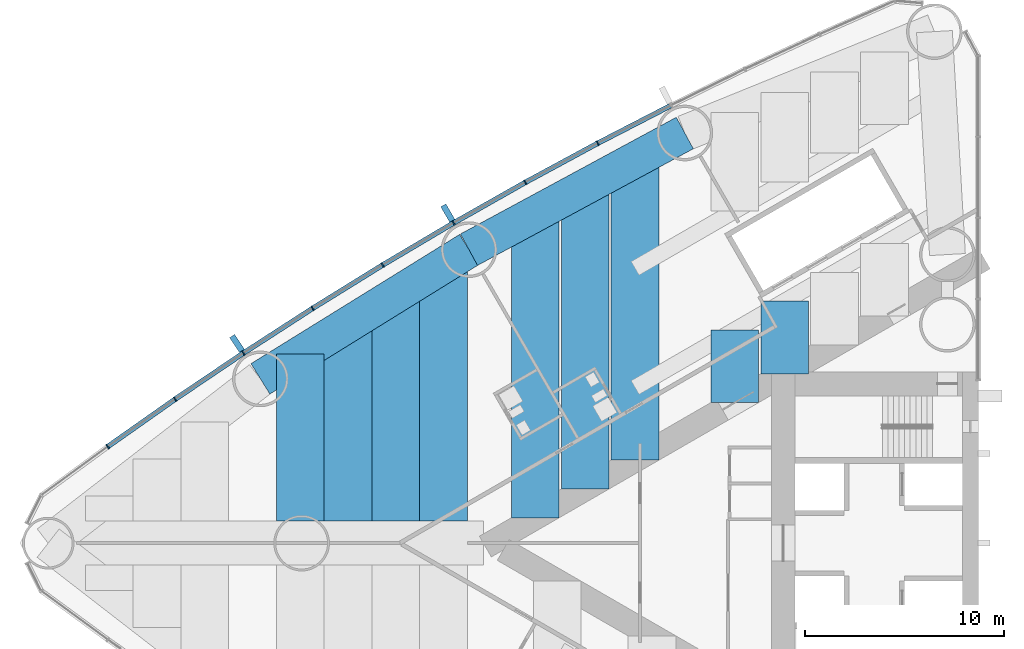
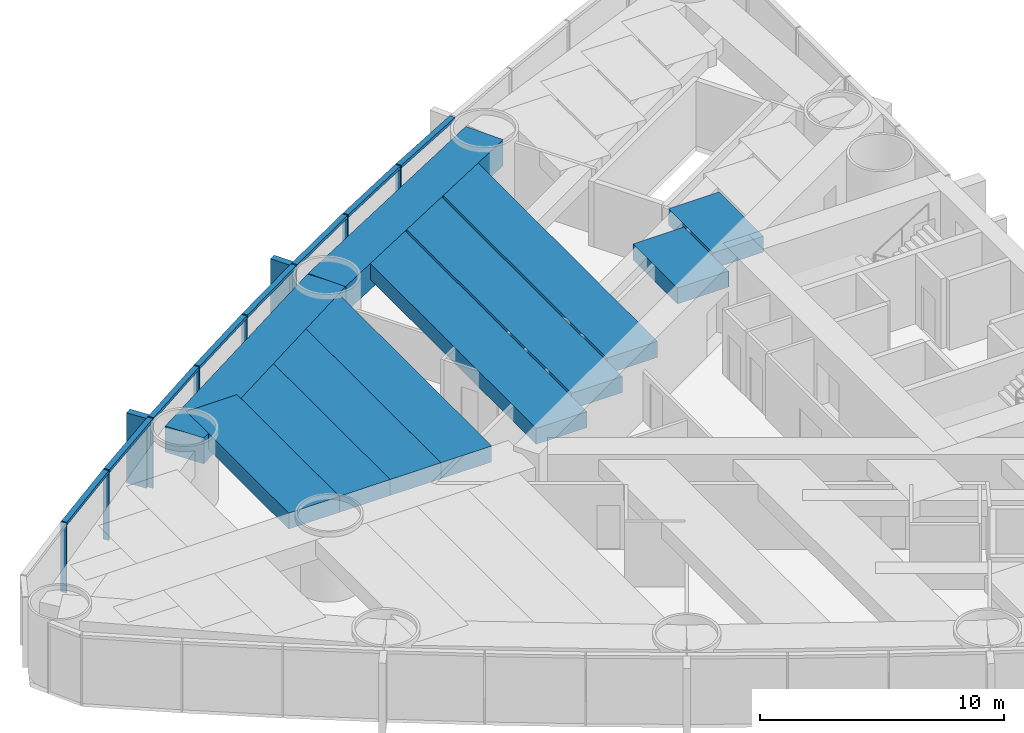
# One storey, part 4 of 19: 18 members, 11 beams, 1 element without a shape of its own.
"""IFC4 building model written with IfcOpenShell, lengths in metres."""

from ifc_helpers import new_model, si_unit, direction, frame, origin, origin_2d, place, context, subcontext, project, spatial, rectangle, extrude, material, material_profile, profile_set, type_object, element, aggregate, save


model = new_model("IFC4")

# Units and contexts
model_context = context("Model", 3, precision=1e-05, world=origin(), true_north=direction((0.0, 1.0)))
body_context = subcontext(model_context, "Body", "Model", "MODEL_VIEW")
ifc_project = project(units=[si_unit("LENGTHUNIT", "METRE"), si_unit("AREAUNIT", "SQUARE_METRE"), si_unit("VOLUMEUNIT", "CUBIC_METRE"), si_unit("PLANEANGLEUNIT", "RADIAN"), si_unit("MASSUNIT", "GRAM", prefix="KILO")], contexts=[model_context])

# Site, building, storey
site_placement = place(None, origin())
site = spatial("IfcSite", under=ifc_project, at=site_placement, CompositionType="ELEMENT")
building_placement = place(site_placement, origin())
building = spatial("IfcBuilding", under=site, at=building_placement, Name="Lancet Gate Hotel", CompositionType="ELEMENT")
storey_placement = place(building_placement, frame((0.0, 0.0, 25.0)))
storey = spatial("IfcBuildingStorey", under=building, at=storey_placement, Name="L05", CompositionType="ELEMENT", Elevation=25.0)

# Curtain wall, members
ifc_material_1 = material(Name="Aluminium curtain wall", Category="aluminium")
curtain_wall_type = type_object("IfcCurtainWallType", Name="Tower unitised curtain wall", PredefinedType="USERDEFINED", material=ifc_material_1)
curtain_wall_placement = place(storey_placement, origin())
curtain_wall = element("IfcCurtainWall", 1, at=curtain_wall_placement, inside=storey, type_object=curtain_wall_type, Name="T1 L05 curtain wall 2", ObjectType="UNITISED CURTAIN WALL", PredefinedType="USERDEFINED")
ifc_material_2 = material(Name="Aluminium mullion", Category="aluminium")
ifc_material_profile_1 = material_profile(ifc_material_2, rectangle(XDim=0.06494140625, YDim=0.25, at=origin_2d()), Name="MULLION 65x250")
ifc_profile_set_1 = profile_set([ifc_material_profile_1], Name="Aluminium mullion")
member_type_1 = type_object("IfcMemberType", Name="Aluminium mullion 65x250", PredefinedType="MULLION", material=ifc_profile_set_1)
member_1_placement = place(storey_placement, frame((-46.6220703125, 20.094970703125, 0.0), z_axis=(0.0, 0.0, 1.0), x_axis=(-0.884311132302, -0.466898084475, 0.0)))
member_1 = element("IfcMember", 2, at=member_1_placement, type_object=member_type_1, Name="T1 L05 curtain wall 2 mullion 6", PredefinedType="MULLION", context=body_context, shape_type="SweptSolid", body=[
    extrude(rectangle(XDim=0.06494140625, YDim=0.25, at=origin_2d()), origin(), (0.0, 0.0, 1.0), 3.5),
])
member_2_placement = place(storey_placement, frame((-50.26416015625, 18.1259765625, 0.0), z_axis=(0.0, 0.0, 1.0), x_axis=(-0.874991035403, -0.484139120464, 0.0)))
member_2 = element("IfcMember", 3, at=member_2_placement, type_object=member_type_1, Name="T1 L05 curtain wall 2 mullion 7", PredefinedType="MULLION", context=body_context, shape_type="SweptSolid", body=[
    extrude(rectangle(XDim=0.06494140625, YDim=0.25, at=origin_2d()), origin(), (0.0, 0.0, 1.0), 3.5),
])
member_3_placement = place(storey_placement, frame((-53.866943359375, 16.086181640625, 0.0), z_axis=(0.0, 0.0, 1.0), x_axis=(-0.86533483912, -0.501194190115, 0.0)))
member_3 = element("IfcMember", 4, at=member_3_placement, type_object=member_type_1, Name="T1 L05 curtain wall 2 mullion 8", PredefinedType="MULLION", context=body_context, shape_type="SweptSolid", body=[
    extrude(rectangle(XDim=0.06494140625, YDim=0.25, at=origin_2d()), origin(), (0.0, 0.0, 1.0), 3.5),
])
member_4_placement = place(storey_placement, frame((-57.42919921875, 13.97607421875, 0.0), z_axis=(0.0, 0.0, 1.0), x_axis=(-0.855346252548, -0.518056742309, 0.0)))
member_4 = element("IfcMember", 5, at=member_4_placement, type_object=member_type_1, Name="T1 L05 curtain wall 2 mullion 9", PredefinedType="MULLION", context=body_context, shape_type="SweptSolid", body=[
    extrude(rectangle(XDim=0.06494140625, YDim=0.25, at=origin_2d()), origin(), (0.0, 0.0, 1.0), 3.5),
])
member_5_placement = place(storey_placement, frame((-60.949462890625, 11.796630859375, 0.0), z_axis=(0.0, 0.0, 1.0), x_axis=(-0.845029112489, -0.534720299827, 0.0)))
member_5 = element("IfcMember", 6, at=member_5_placement, type_object=member_type_1, Name="T1 L05 curtain wall 2 mullion 10", PredefinedType="MULLION", context=body_context, shape_type="SweptSolid", body=[
    extrude(rectangle(XDim=0.06494140625, YDim=0.25, at=origin_2d()), origin(), (0.0, 0.0, 1.0), 3.5),
])
member_6_placement = place(storey_placement, frame((-64.42626953125, 9.548583984375, 0.0), z_axis=(0.0, 0.0, 1.0), x_axis=(-0.834387381945, -0.55117846189, 0.0)))
member_6 = element("IfcMember", 7, at=member_6_placement, type_object=member_type_1, Name="T1 L05 curtain wall 2 mullion 11", PredefinedType="MULLION", context=body_context, shape_type="SweptSolid", body=[
    extrude(rectangle(XDim=0.06494140625, YDim=0.25, at=origin_2d()), origin(), (0.0, 0.0, 1.0), 3.5),
])
member_7_placement = place(storey_placement, frame((-67.858154296875, 7.232666015625, 0.0), z_axis=(0.0, 0.0, 1.0), x_axis=(-0.823425148573, -0.56742490666, 0.0)))
member_7 = element("IfcMember", 8, at=member_7_placement, type_object=member_type_1, Name="T1 L05 curtain wall 2 mullion 12", PredefinedType="MULLION", context=body_context, shape_type="SweptSolid", body=[
    extrude(rectangle(XDim=0.06494140625, YDim=0.25, at=origin_2d()), origin(), (0.0, 0.0, 1.0), 3.5),
])
member_8_placement = place(storey_placement, frame((-71.244384765625, 4.85009765625, 0.0), z_axis=(0.0, 0.0, 1.0), x_axis=(-0.812146623168, -0.583453393578, 0.0)))
member_8 = element("IfcMember", 9, at=member_8_placement, type_object=member_type_1, Name="T1 L05 curtain wall 2 mullion 13", PredefinedType="MULLION", context=body_context, shape_type="SweptSolid", body=[
    extrude(rectangle(XDim=0.06494140625, YDim=0.25, at=origin_2d()), origin(), (0.0, 0.0, 1.0), 3.5),
])
ifc_material_3 = material(Name="Aluminium transom", Category="aluminium")
ifc_material_profile_2 = material_profile(ifc_material_3, rectangle(XDim=0.25, YDim=0.14990234375, at=origin_2d()), Name="TRANSOM 250x150")
ifc_profile_set_2 = profile_set([ifc_material_profile_2], Name="Aluminium transom")
member_type_2 = type_object("IfcMemberType", Name="Aluminium transom 250x150", PredefinedType="USERDEFINED", material=ifc_profile_set_2)
member_9_placement = place(storey_placement, frame((-42.970703125, 21.97705078125, 3.425048828125), z_axis=(-0.888859972399, -0.458178949175, 0.0), x_axis=(0.458178949175, -0.888859972399, 0.0)))
member_9 = element("IfcMember", 10, at=member_9_placement, type_object=member_type_2, Name="T1 L05 curtain wall 2 transom 5", ObjectType="TRANSOM", PredefinedType="USERDEFINED", context=body_context, shape_type="SweptSolid", body=[
    extrude(rectangle(XDim=0.25, YDim=0.14990234375, at=origin_2d()), origin(), (0.0, 0.0, 1.0), 4.0751953125),
])
member_10_placement = place(storey_placement, frame((-46.650634765625, 20.079345703125, 3.425048828125), z_axis=(-0.87971396408, -0.475503250675, 0.0), x_axis=(0.475503250675, -0.87971396408, 0.0)))
member_10 = element("IfcMember", 11, at=member_10_placement, type_object=member_type_2, Name="T1 L05 curtain wall 2 transom 6", ObjectType="TRANSOM", PredefinedType="USERDEFINED", context=body_context, shape_type="SweptSolid", body=[
    extrude(rectangle(XDim=0.25, YDim=0.14990234375, at=origin_2d()), origin(), (0.0, 0.0, 1.0), 4.0751953125),
])
member_11_placement = place(storey_placement, frame((-50.29248046875, 18.110107421875, 3.425048828125), z_axis=(-0.870197729943, -0.492702659625, 0.0), x_axis=(0.492702659625, -0.870197729943, 0.0)))
member_11 = element("IfcMember", 12, at=member_11_placement, type_object=member_type_2, Name="T1 L05 curtain wall 2 transom 7", ObjectType="TRANSOM", PredefinedType="USERDEFINED", context=body_context, shape_type="SweptSolid", body=[
    extrude(rectangle(XDim=0.25, YDim=0.14990234375, at=origin_2d()), origin(), (0.0, 0.0, 1.0), 4.0751953125),
])
member_12_placement = place(storey_placement, frame((-53.89501953125, 16.069580078125, 3.425048828125), z_axis=(-0.86039174806, -0.509633240547, 0.0), x_axis=(0.509633240547, -0.86039174806, 0.0)))
member_12 = element("IfcMember", 13, at=member_12_placement, type_object=member_type_2, Name="T1 L05 curtain wall 2 transom 8", ObjectType="TRANSOM", PredefinedType="USERDEFINED", context=body_context, shape_type="SweptSolid", body=[
    extrude(rectangle(XDim=0.25, YDim=0.14990234375, at=origin_2d()), origin(), (0.0, 0.0, 1.0), 4.0751953125),
])
member_13_placement = place(storey_placement, frame((-57.456787109375, 13.958984375, 3.425048828125), z_axis=(-0.850242165643, -0.526391736032, 0.0), x_axis=(0.526391736032, -0.850242165643, 0.0)))
member_13 = element("IfcMember", 14, at=member_13_placement, type_object=member_type_2, Name="T1 L05 curtain wall 2 transom 9", ObjectType="TRANSOM", PredefinedType="USERDEFINED", context=body_context, shape_type="SweptSolid", body=[
    extrude(rectangle(XDim=0.25, YDim=0.14990234375, at=origin_2d()), origin(), (0.0, 0.0, 1.0), 4.075439453125),
])
member_14_placement = place(storey_placement, frame((-60.976806640625, 11.779052734375, 3.425048828125), z_axis=(-0.839729242404, -0.543005340169, 0.0), x_axis=(0.543005340169, -0.839729242404, 0.0)))
member_14 = element("IfcMember", 15, at=member_14_placement, type_object=member_type_2, Name="T1 L05 curtain wall 2 transom 10", ObjectType="TRANSOM", PredefinedType="USERDEFINED", context=body_context, shape_type="SweptSolid", body=[
    extrude(rectangle(XDim=0.25, YDim=0.14990234375, at=origin_2d()), origin(), (0.0, 0.0, 1.0), 4.0751953125),
])
member_15_placement = place(storey_placement, frame((-64.453125, 9.5302734375, 3.425048828125), z_axis=(-0.828959086782, -0.559309245804, 0.0), x_axis=(0.559309245804, -0.828959086782, 0.0)))
member_15 = element("IfcMember", 16, at=member_15_placement, type_object=member_type_2, Name="T1 L05 curtain wall 2 transom 11", ObjectType="TRANSOM", PredefinedType="USERDEFINED", context=body_context, shape_type="SweptSolid", body=[
    extrude(rectangle(XDim=0.25, YDim=0.14990234375, at=origin_2d()), origin(), (0.0, 0.0, 1.0), 4.0751953125),
])
member_16_placement = place(storey_placement, frame((-67.884765625, 7.214111328125, 3.425048828125), z_axis=(-0.817833568345, -0.57545482402, 0.0), x_axis=(0.57545482402, -0.817833568345, 0.0)))
member_16 = element("IfcMember", 17, at=member_16_placement, type_object=member_type_2, Name="T1 L05 curtain wall 2 transom 12", ObjectType="TRANSOM", PredefinedType="USERDEFINED", context=body_context, shape_type="SweptSolid", body=[
    extrude(rectangle(XDim=0.25, YDim=0.14990234375, at=origin_2d()), origin(), (0.0, 0.0, 1.0), 4.075439453125),
])

# Beams
ifc_material_4 = material(Name="Concrete C50/60", Category="concrete")
ifc_material_profile_3 = material_profile(ifc_material_4, rectangle(XDim=1.800048828125, YDim=1.300048828125, at=origin_2d()), Name="RC 1800x1300")
ifc_profile_set_3 = profile_set([ifc_material_profile_3], Name="Concrete C50/60")
beam_type_1 = type_object("IfcBeamType", Name="Edge beam RC 1800x1300", PredefinedType="SPANDREL", material=ifc_profile_set_3)
for number, where, z_axis, x_axis, name in (
    (18, (-42.2451171875, 20.607421875, 2.60009765625), (-0.879692855603, -0.475542300749, 0.0), (0.475542300749, -0.879692855603, 0.0), "T1 edge beam EB1 L05"),
    (19, (-53.090087890625, 14.744873046875, 2.60009765625), (-0.850225894333, -0.526418016984, 0.0), (0.526418016984, -0.850225894333, 0.0), "T1 edge beam EB1 L05"),
):
    element("IfcBeam", number, at=place(storey_placement, frame(where, z_axis=z_axis, x_axis=x_axis)), inside=storey, type_object=beam_type_1, Name=name, PredefinedType="SPANDREL", context=body_context, shape_type="SweptSolid", body=[
        extrude(rectangle(XDim=1.800048828125, YDim=1.300048828125, at=origin_2d()), origin(), (0.0, 0.0, 1.0), 12.328125),
    ])

# Member
ifc_material_5 = material(Name="Precast concrete C50/60", Category="concrete")
ifc_material_profile_4 = material_profile(ifc_material_5, rectangle(XDim=0.300048828125, YDim=0.89990234375, at=origin_2d()), Name="FIN 300x900")
ifc_profile_set_4 = profile_set([ifc_material_profile_4], Name="Precast concrete C50/60")
member_type_3 = type_object("IfcMemberType", Name="Exposed concrete fin 300x900", PredefinedType="USERDEFINED", material=ifc_profile_set_4)
member_17_placement = place(storey_placement, frame((-54.1552734375, 16.583740234375, 0.0), z_axis=(0.0, 0.0, 1.0), x_axis=(-0.86533483912, -0.501194190115, 0.0)))
member_17 = element("IfcMember", 20, at=member_17_placement, type_object=member_type_3, Name="T1 L05 curtain wall 2 fin 8", ObjectType="FIN", PredefinedType="USERDEFINED", context=body_context, shape_type="SweptSolid", body=[
    extrude(rectangle(XDim=0.300048828125, YDim=0.89990234375, at=origin_2d()), origin(), (0.0, 0.0, 1.0), 3.5),
])

member_18_placement = place(storey_placement, frame((-64.7431640625, 10.0283203125, 0.0), z_axis=(0.0, 0.0, 1.0), x_axis=(-0.834387381945, -0.55117846189, 0.0)))
member_18 = element("IfcMember", 21, at=member_18_placement, type_object=member_type_3, Name="T1 L05 curtain wall 2 fin 11", ObjectType="FIN", PredefinedType="USERDEFINED", context=body_context, shape_type="SweptSolid", body=[
    extrude(rectangle(XDim=0.300048828125, YDim=0.89990234375, at=origin_2d()), origin(), (0.0, 0.0, 1.0), 3.5),
])

aggregate(curtain_wall, [member_1, member_2, member_3, member_17, member_4, member_5, member_6, member_18, member_7, member_8, member_9, member_10, member_11, member_12, member_13, member_14, member_15, member_16])

# Beams
ifc_material_6 = material(Name="Concrete C50/60", Category="concrete")
ifc_material_profile_5 = material_profile(ifc_material_6, rectangle(XDim=2.39990234375, YDim=0.800048828125, at=origin_2d()), Name="RC 2400x800")
ifc_profile_set_5 = profile_set([ifc_material_profile_5], Name="Concrete C50/60")
beam_type_2 = type_object("IfcBeamType", Name="Floor beam RC 2400x800", PredefinedType="BEAM", material=ifc_profile_set_5)
beam_1_placement = place(storey_placement, frame((-44.747802734375, 19.254638671875, 2.85009765625), z_axis=(0.0, -1.0, 0.0), x_axis=(1.0, 0.0, 0.0)))
element("IfcBeam", 22, at=beam_1_placement, inside=storey, type_object=beam_type_2, Name="T1 floor beam F09S L05", PredefinedType="BEAM", context=body_context, shape_type="SweptSolid", body=[
    extrude(rectangle(XDim=2.39990234375, YDim=0.800048828125, at=origin_2d()), origin(), (0.0, 0.0, 1.0), 15.0859375),
])
beam_2_placement = place(storey_placement, frame((-47.254638671875, 17.8994140625, 2.85009765625), z_axis=(0.0, -1.0, 0.0), x_axis=(1.0, 0.0, 0.0)))
element("IfcBeam", 23, at=beam_2_placement, inside=storey, type_object=beam_type_2, Name="T1 floor beam F10S L05", PredefinedType="BEAM", context=body_context, shape_type="SweptSolid", body=[
    extrude(rectangle(XDim=2.39990234375, YDim=0.800048828125, at=origin_2d()), origin(), (0.0, 0.0, 1.0), 15.177978515625),
])
beam_3_placement = place(storey_placement, frame((-49.761474609375, 16.54443359375, 2.85009765625), z_axis=(0.0, -1.0, 0.0), x_axis=(1.0, 0.0, 0.0)))
element("IfcBeam", 24, at=beam_3_placement, inside=storey, type_object=beam_type_2, Name="T1 floor beam F12S L05", PredefinedType="BEAM", context=body_context, shape_type="SweptSolid", body=[
    extrude(rectangle(XDim=2.39990234375, YDim=0.800048828125, at=origin_2d()), origin(), (0.0, 0.0, 1.0), 15.270263671875),
])
beam_4_placement = place(storey_placement, frame((-54.3681640625, 13.95361328125, 2.85009765625), z_axis=(0.0, -1.0, 0.0), x_axis=(1.0, 0.0, 0.0)))
element("IfcBeam", 25, at=beam_4_placement, inside=storey, type_object=beam_type_2, Name="T1 floor beam F13S L05", PredefinedType="BEAM", context=body_context, shape_type="SweptSolid", body=[
    extrude(rectangle(XDim=2.39990234375, YDim=0.800048828125, at=origin_2d()), origin(), (0.0, 0.0, 1.0), 12.853515625),
])
beam_5_placement = place(storey_placement, frame((-56.768310546875, 12.467529296875, 2.85009765625), z_axis=(0.0, -1.0, 0.0), x_axis=(1.0, 0.0, 0.0)))
element("IfcBeam", 26, at=beam_5_placement, inside=storey, type_object=beam_type_2, Name="T1 floor beam F15S L05", PredefinedType="BEAM", context=body_context, shape_type="SweptSolid", body=[
    extrude(rectangle(XDim=2.39990234375, YDim=0.800048828125, at=origin_2d()), origin(), (0.0, 0.0, 1.0), 11.367431640625),
])
beam_6_placement = place(storey_placement, frame((-59.168212890625, 10.981689453125, 2.85009765625), z_axis=(0.0, -1.0, 0.0), x_axis=(1.0, 0.0, 0.0)))
element("IfcBeam", 27, at=beam_6_placement, inside=storey, type_object=beam_type_2, Name="T1 floor beam F17S L05", PredefinedType="BEAM", context=body_context, shape_type="SweptSolid", body=[
    extrude(rectangle(XDim=2.39990234375, YDim=0.800048828125, at=origin_2d()), origin(), (0.0, 0.0, 1.0), 9.881591796875),
])
beam_7_placement = place(storey_placement, frame((-61.568359375, 9.495849609375, 2.85009765625), z_axis=(0.0, -1.0, 0.0), x_axis=(1.0, 0.0, 0.0)))
element("IfcBeam", 28, at=beam_7_placement, inside=storey, type_object=beam_type_2, Name="T1 floor beam F19S L05", PredefinedType="BEAM", context=body_context, shape_type="SweptSolid", body=[
    extrude(rectangle(XDim=2.39990234375, YDim=0.800048828125, at=origin_2d()), origin(), (0.0, 0.0, 1.0), 8.395751953125),
])
beam_8_placement = place(storey_placement, frame((-37.227294921875, 12.15625, 2.85009765625), z_axis=(0.0, -1.0, 0.0), x_axis=(1.0, 0.0, 0.0)))
element("IfcBeam", 29, at=beam_8_placement, inside=storey, type_object=beam_type_2, Name="T1 floor beam F05SB L05", PredefinedType="BEAM", context=body_context, shape_type="SweptSolid", body=[
    extrude(rectangle(XDim=2.39990234375, YDim=0.800048828125, at=origin_2d()), origin(), (0.0, 0.0, 1.0), 3.6455078125),
])
beam_9_placement = place(storey_placement, frame((-39.734130859375, 10.708740234375, 2.85009765625), z_axis=(0.0, -1.0, 0.0), x_axis=(1.0, 0.0, 0.0)))
element("IfcBeam", 30, at=beam_9_placement, inside=storey, type_object=beam_type_2, Name="T1 floor beam F07SB L05", PredefinedType="BEAM", context=body_context, shape_type="SweptSolid", body=[
    extrude(rectangle(XDim=2.39990234375, YDim=0.800048828125, at=origin_2d()), origin(), (0.0, 0.0, 1.0), 3.645263671875),
])

save(model, "model.ifc")
